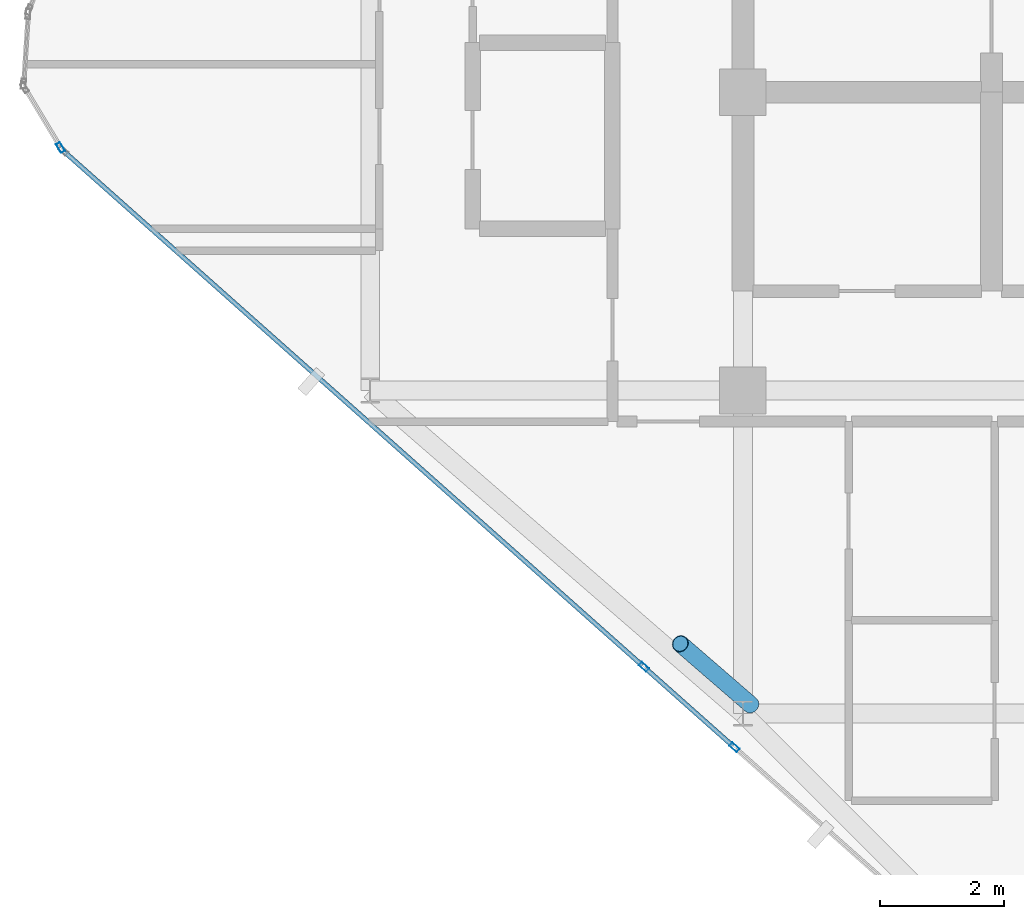
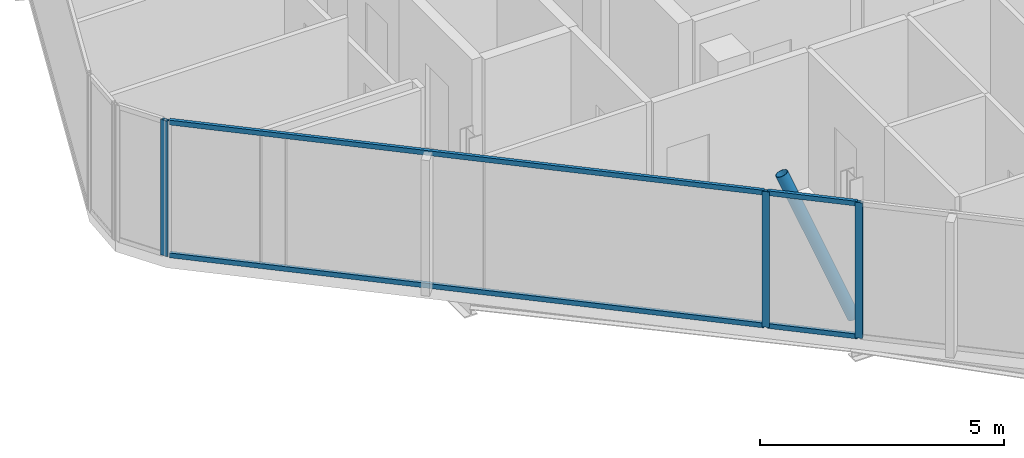
# One storey, part 3 of 30: 8 members, 4 elements without a shape of their own.
"""IFC4 building model written with IfcOpenShell, lengths in metres."""

from ifc_helpers import new_model, si_unit, direction, frame, origin, origin_2d, place, context, subcontext, project, spatial, hollow_rectangle, hollow_circle, extrude, material, layer, layer_set, material_profile, profile_set, type_object, element, aggregate, save


model = new_model("IFC4")

# Units and contexts
model_context = context("Model", 3, precision=1e-05, world=origin(), true_north=direction((0.0, 1.0)))
body_context = subcontext(model_context, "Body", "Model", "MODEL_VIEW")
ifc_project = project(units=[si_unit("LENGTHUNIT", "METRE"), si_unit("AREAUNIT", "SQUARE_METRE"), si_unit("VOLUMEUNIT", "CUBIC_METRE"), si_unit("PLANEANGLEUNIT", "RADIAN"), si_unit("MASSUNIT", "GRAM", prefix="KILO")], contexts=[model_context])

# Site, building, storey
site_placement = place(None, origin())
site = spatial("IfcSite", under=ifc_project, at=site_placement, CompositionType="ELEMENT")
building_placement = place(site_placement, origin())
building = spatial("IfcBuilding", under=site, at=building_placement, Name="Keshet Zoharim Tower", CompositionType="ELEMENT")
storey_placement = place(building_placement, frame((0.0, 0.0, 280.60009765625)))
storey = spatial("IfcBuildingStorey", under=building, at=storey_placement, Name="L70", CompositionType="ELEMENT", Elevation=280.60009765625)

# Curtain wall, member
ifc_material_1 = material(Name="Aluminium 6063-T6", Category="aluminium")
ifc_layer = layer(ifc_material_1, 0.260009765625)
ifc_layer_set = layer_set([ifc_layer], Name="Aluminium 6063-T6")
curtain_wall_type = type_object("IfcCurtainWallType", Name="CW-SYS-06", PredefinedType="NOTDEFINED", material=ifc_layer_set)
curtain_wall_1_placement = place(storey_placement, origin())
curtain_wall_1 = element("IfcCurtainWall", 1, at=curtain_wall_1_placement, inside=storey, type_object=curtain_wall_type, Name="L70 Unitised Curtain Wall 01", PredefinedType="NOTDEFINED")
ifc_material_profile_1 = material_profile(ifc_material_1, hollow_rectangle(XDim=0.074951171875, YDim=0.159912109375, WallThickness=0.00390625, at=origin_2d()), Name="MUL-75x160")
ifc_profile_set_1 = profile_set([ifc_material_profile_1], Name="Aluminium 6063-T6")
member_type_1 = type_object("IfcMemberType", Name="CWM-M15", PredefinedType="MULLION", material=ifc_profile_set_1)
member_1_placement = place(storey_placement, frame((4.016845703125, 21.81005859375, 0.0), z_axis=(0.0, 0.0, 1.0), x_axis=(-0.856826433805, -0.515604947933, 0.0)))
member_1 = element("IfcMember", 2, at=member_1_placement, type_object=member_type_1, Name="CW-06 mullion 1", PredefinedType="MULLION", context=body_context, shape_type="SweptSolid", body=[
    extrude(hollow_rectangle(XDim=0.074951171875, YDim=0.159912109375, WallThickness=0.00390625, at=origin_2d()), origin(), (0.0, 0.0, 1.0), 3.389892578125),
])
aggregate(curtain_wall_1, [member_1])

curtain_wall_2_placement = place(storey_placement, origin())
curtain_wall_2 = element("IfcCurtainWall", 3, at=curtain_wall_2_placement, inside=storey, type_object=curtain_wall_type, Name="L70 Unitised Curtain Wall 16 Part 2", PredefinedType="NOTDEFINED")
member_2_placement = place(storey_placement, frame((14.863037109375, 12.155029296875, 0.0), z_axis=(0.0, 0.0, 1.0), x_axis=(-0.664364790358, -0.747408472879, 0.0)))
member_2 = element("IfcMember", 4, at=member_2_placement, type_object=member_type_1, Name="CW-06 mullion 2", PredefinedType="MULLION", context=body_context, shape_type="SweptSolid", body=[
    extrude(hollow_rectangle(XDim=0.074951171875, YDim=0.159912109375, WallThickness=0.00390625, at=origin_2d()), origin(), (0.0, 0.0, 1.0), 3.389892578125),
])
aggregate(curtain_wall_2, [member_2])

# Curtain wall, members
curtain_wall_3_placement = place(storey_placement, origin())
curtain_wall_3 = element("IfcCurtainWall", 5, at=curtain_wall_3_placement, inside=storey, type_object=curtain_wall_type, Name="L70 Unitised Curtain Wall 16 Part 3", PredefinedType="NOTDEFINED")
member_3_placement = place(storey_placement, frame((13.40576171875, 13.450439453125, 0.0), z_axis=(0.0, 0.0, 1.0), x_axis=(-0.664338369143, -0.747431957629, 0.0)))
member_3 = element("IfcMember", 6, at=member_3_placement, type_object=member_type_1, Name="CW-06 mullion 2", PredefinedType="MULLION", context=body_context, shape_type="SweptSolid", body=[
    extrude(hollow_rectangle(XDim=0.074951171875, YDim=0.159912109375, WallThickness=0.00390625, at=origin_2d()), origin(), (0.0, 0.0, 1.0), 3.389892578125),
])
ifc_material_profile_2 = material_profile(ifc_material_1, hollow_rectangle(XDim=0.074951171875, YDim=0.1201171875, WallThickness=0.00390625, at=origin_2d()), Name="TRN-75x120")
ifc_profile_set_2 = profile_set([ifc_material_profile_2], Name="Aluminium 6063-T6")
member_type_2 = type_object("IfcMemberType", Name="CWT-T12", PredefinedType="USERDEFINED", material=ifc_profile_set_2)
member_4_placement = place(storey_placement, frame((14.8369140625, 12.178466796875, 0.034912109375), z_axis=(-0.747452318941, 0.664315460387, 0.0), x_axis=(-0.664315460387, -0.747452318941, 0.0)))
member_4 = element("IfcMember", 7, at=member_4_placement, type_object=member_type_2, Name="CW-06 transom 1.1", ObjectType="TRANSOM", PredefinedType="USERDEFINED", context=body_context, shape_type="SweptSolid", body=[
    extrude(hollow_rectangle(XDim=0.074951171875, YDim=0.1201171875, WallThickness=0.00390625, at=origin_2d()), origin(), (0.0, 0.0, 1.0), 1.87939453125),
])
member_5_placement = place(storey_placement, frame((14.8369140625, 12.178466796875, 3.35498046875), z_axis=(-0.747452318941, 0.664315460387, 0.0), x_axis=(-0.664315460387, -0.747452318941, 0.0)))
member_5 = element("IfcMember", 8, at=member_5_placement, type_object=member_type_2, Name="CW-06 transom 1.2", ObjectType="TRANSOM", PredefinedType="USERDEFINED", context=body_context, shape_type="SweptSolid", body=[
    extrude(hollow_rectangle(XDim=0.074951171875, YDim=0.1201171875, WallThickness=0.00390625, at=origin_2d()), origin(), (0.0, 0.0, 1.0), 1.87939453125),
])
aggregate(curtain_wall_3, [member_3, member_4, member_5])

curtain_wall_4_placement = place(storey_placement, origin())
curtain_wall_4 = element("IfcCurtainWall", 9, at=curtain_wall_4_placement, inside=storey, type_object=curtain_wall_type, Name="L70 Unitised Curtain Wall 16 Part 4", PredefinedType="NOTDEFINED")
member_6_placement = place(storey_placement, frame((13.379638671875, 13.4736328125, 0.034912109375), z_axis=(-0.747409318684, 0.66436383883, 0.0), x_axis=(-0.66436383883, -0.747409318684, 0.0)))
member_6 = element("IfcMember", 10, at=member_6_placement, type_object=member_type_2, Name="CW-06 transom 1.1", ObjectType="TRANSOM", PredefinedType="USERDEFINED", context=body_context, shape_type="SweptSolid", body=[
    extrude(hollow_rectangle(XDim=0.074951171875, YDim=0.1201171875, WallThickness=0.00390625, at=origin_2d()), origin(), (0.0, 0.0, 1.0), 12.4326171875),
])
member_7_placement = place(storey_placement, frame((13.379638671875, 13.4736328125, 3.35498046875), z_axis=(-0.747409318684, 0.66436383883, 0.0), x_axis=(-0.66436383883, -0.747409318684, 0.0)))
member_7 = element("IfcMember", 11, at=member_7_placement, type_object=member_type_2, Name="CW-06 transom 1.2", ObjectType="TRANSOM", PredefinedType="USERDEFINED", context=body_context, shape_type="SweptSolid", body=[
    extrude(hollow_rectangle(XDim=0.074951171875, YDim=0.1201171875, WallThickness=0.00390625, at=origin_2d()), origin(), (0.0, 0.0, 1.0), 12.4326171875),
])
aggregate(curtain_wall_4, [member_6, member_7])

# Member
ifc_material_2 = material(Name="Steel S355", Category="steel")
ifc_material_profile_3 = material_profile(ifc_material_2, hollow_circle(Radius=0.136474609375, WallThickness=0.010009765625, at=origin_2d()), Name="CHS273x10")
ifc_profile_set_3 = profile_set([ifc_material_profile_3], Name="Steel S355")
member_type_3 = type_object("IfcMemberType", Name="MB-BR-C273", PredefinedType="BRACE", material=ifc_profile_set_3)
member_8_placement = place(storey_placement, frame((15.1259765625, 12.842041015625, 0.0), z_axis=(-0.305919508672, 0.264888754334, 0.914465528077), x_axis=(-0.654589683411, -0.755984355904, 0.0)))
element("IfcMember", 12, at=member_8_placement, inside=storey, type_object=member_type_3, Name="L70 Perimeter Tube Brace 01", PredefinedType="BRACE", context=body_context, shape_type="SweptSolid", body=[
    extrude(hollow_circle(Radius=0.136474609375, WallThickness=0.010009765625, at=origin_2d()), origin(), (0.0, 0.0, 1.0), 3.70703125),
])

save(model, "model.ifc")
